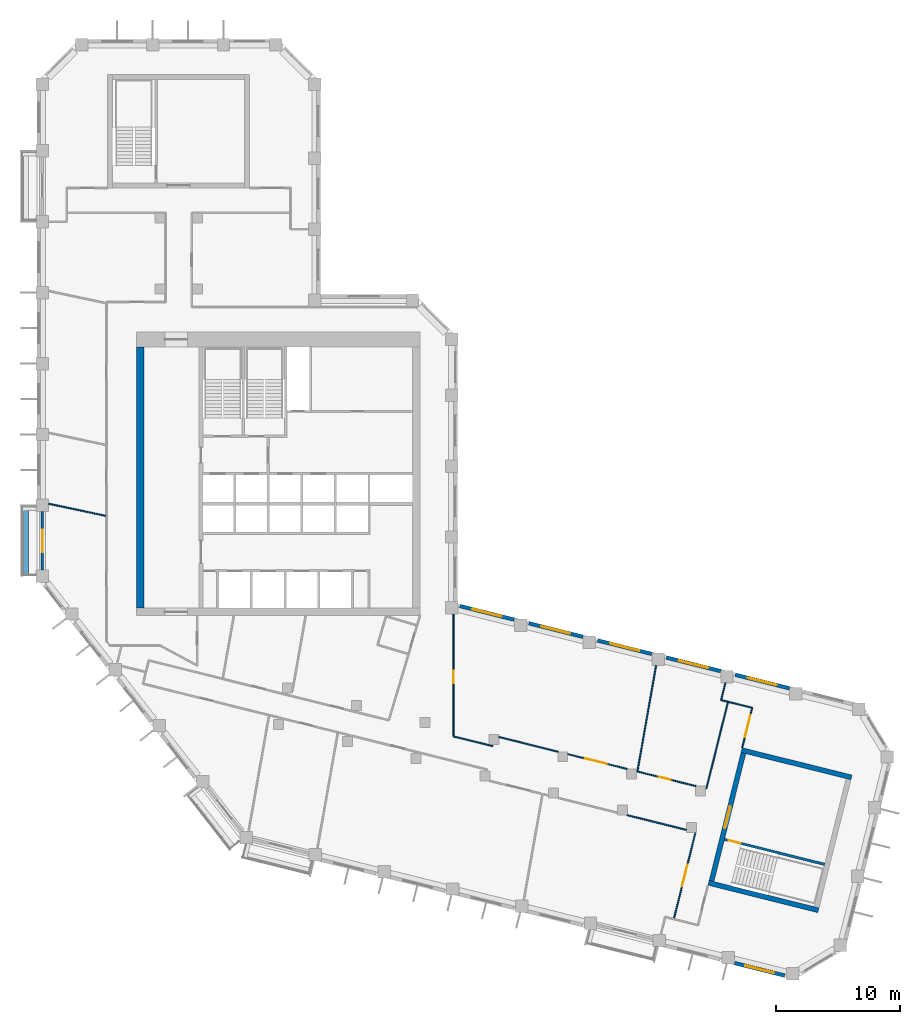
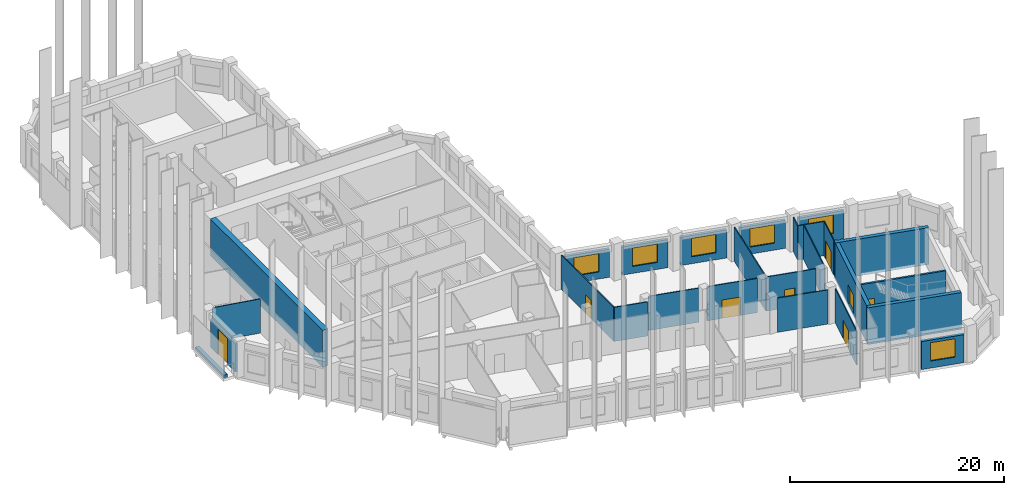
# One storey, part 4 of 9: 27 walls, 8 doors, 6 windows, 14 openings.
"""IFC4 building model written with IfcOpenShell, lengths in metres."""

import ifcopenshell
import ifcopenshell.guid

model = None  # the IFC model being written
_history = None  # IfcOwnerHistory: only IFC2X3 demands one
_inside = {}  # id of a spatial element -> (the spatial element, [elements in it])
_under = {}  # id of a project, library or spatial element -> (it, [spatial elements below it])
_declared = {}  # id of a project -> (the project, [libraries it declares])
_typed = {}  # id of a type object -> (the type object, [elements of that type])
_made_of = {}  # id of a material, layer set ... -> (it, [elements and type objects made of it])


def new_model(schema):
    """Start an empty IFC model of exactly this schema.

    Asked for "IFC4X3", IfcOpenShell would pick the latest addendum, in which some entities
    have other attributes; the version numbers below select the first issue.
    IFC2X3 requires an IfcOwnerHistory on every rooted entity: one is made here for all.
    """
    global model, _history
    if schema == "IFC4X3":
        model = ifcopenshell.file(schema_version=(4, 3, 0, 0))
    else:
        model = ifcopenshell.file(schema=schema)
    _inside.clear()
    _under.clear()
    _declared.clear()
    _typed.clear()
    _made_of.clear()
    _history = None
    if model.schema == "IFC2X3":
        org = make("IfcOrganization", Name="unknown")
        user = make(
            "IfcPersonAndOrganization",
            ThePerson=make("IfcPerson", FamilyName="unknown"),
            TheOrganization=org,
        )
        app = make(
            "IfcApplication",
            ApplicationDeveloper=org,
            Version="unknown",
            ApplicationFullName="unknown",
            ApplicationIdentifier="unknown",
        )
        _history = make(
            "IfcOwnerHistory",
            OwningUser=user,
            OwningApplication=app,
            ChangeAction="ADDED",
            CreationDate=0,
        )
    return model


def make(cls, **values):
    """One entity of the class cls with the attributes given. An attribute that is None is left unset."""
    return model.create_entity(
        cls, **{name: value for name, value in values.items() if value is not None}
    )


def rooted(cls, **values):
    """An entity with a GlobalId (a new one), such as an element, a storey or a relation."""
    return make(cls, GlobalId=ifcopenshell.guid.new(), OwnerHistory=_history, **values)


def si_unit(unit_type, name, prefix=None):
    """IfcSIUnit, for example si_unit("LENGTHUNIT", "METRE", prefix="MILLI")."""
    return make("IfcSIUnit", UnitType=unit_type, Prefix=prefix, Name=name)


def assignment(units):
    """IfcUnitAssignment: the units of a project."""
    return None if units is None else make("IfcUnitAssignment", Units=units)


def point(xyz):
    """IfcCartesianPoint."""
    return None if xyz is None else make("IfcCartesianPoint", Coordinates=xyz)


def direction(xyz):
    """IfcDirection."""
    return None if xyz is None else make("IfcDirection", DirectionRatios=xyz)


def frame(location, z_axis=None, x_axis=None):
    """IfcAxis2Placement3D, a coordinate frame: its origin and axes. An axis left out is left unset."""
    return make(
        "IfcAxis2Placement3D",
        Location=point(location),
        Axis=direction(z_axis),
        RefDirection=direction(x_axis),
    )


def frame_2d(location, x_axis=None):
    """IfcAxis2Placement2D, a coordinate frame in the plane: its origin and x axis."""
    return make(
        "IfcAxis2Placement2D", Location=point(location), RefDirection=direction(x_axis)
    )


def origin():
    """The frame at (0, 0, 0) with its axes left unset."""
    return frame((0.0, 0.0, 0.0))


def place(relative_to, where):
    """IfcLocalPlacement: puts the frame where relative to a parent placement (None: the world)."""
    return make(
        "IfcLocalPlacement", PlacementRelTo=relative_to, RelativePlacement=where
    )


def context(
    kind, dimensions, precision=None, world=None, true_north=None, identifier=None
):
    """IfcGeometricRepresentationContext, for example the 3D "Model" context."""
    return make(
        "IfcGeometricRepresentationContext",
        ContextIdentifier=identifier,
        ContextType=kind,
        CoordinateSpaceDimension=dimensions,
        Precision=precision,
        WorldCoordinateSystem=world,
        TrueNorth=true_north,
    )


def subcontext(parent, identifier, kind, view, scale=None):
    """IfcGeometricRepresentationSubContext, for example "Body" below "Model"."""
    return make(
        "IfcGeometricRepresentationSubContext",
        ContextIdentifier=identifier,
        ContextType=kind,
        ParentContext=parent,
        TargetScale=scale,
        TargetView=view,
    )


def project(units=None, contexts=None):
    """IfcProject with its units and contexts."""
    return rooted(
        "IfcProject",
        Name="project",
        RepresentationContexts=contexts,
        UnitsInContext=assignment(units),
    )


def spatial(cls, under=None, at=None, **own):
    """A site, building, storey or space (cls), placed at a placement, below another one or the project."""
    s = rooted(cls, ObjectPlacement=at, **own)
    if under is not None:
        _under.setdefault(under.id(), (under, []))[1].append(s)
    return s


def profile(cls, at=None, kind="AREA", **sizes):
    """A parametric profile (cls). Its sizes go by their IFC names, for example OverallWidth=200.0."""
    return make(cls, ProfileType=kind, Position=at, **sizes)


def rectangle(**sizes):
    """IfcRectangleProfileDef."""
    return profile("IfcRectangleProfileDef", **sizes)


def extrude(swept, where, along, depth):
    """IfcExtrudedAreaSolid: the profile swept, set in the frame where, extruded along a direction by depth."""
    return make(
        "IfcExtrudedAreaSolid",
        SweptArea=swept,
        Position=where,
        ExtrudedDirection=direction(along),
        Depth=depth,
    )


def shape(context_of_items, identifier, shape_type, items):
    """IfcShapeRepresentation: the items that make up one representation, for example the "Body"."""
    return make(
        "IfcShapeRepresentation",
        ContextOfItems=context_of_items,
        RepresentationIdentifier=identifier,
        RepresentationType=shape_type,
        Items=items,
    )


def material(Name=None, Category=None):
    """IfcMaterial."""
    return make("IfcMaterial", Name=Name, Category=Category)


def layer(
    of_material, thickness, ventilated=None, Name=None, Category=None, Priority=None
):
    """IfcMaterialLayer: one layer of a wall or slab, of a material (None: an air gap)."""
    return make(
        "IfcMaterialLayer",
        Material=of_material,
        LayerThickness=thickness,
        IsVentilated=ventilated,
        Name=Name,
        Category=Category,
        Priority=Priority,
    )


def layer_set(layers, Name=None):
    """IfcMaterialLayerSet."""
    return make("IfcMaterialLayerSet", MaterialLayers=layers, LayerSetName=Name)


def made_of(thing, what):
    """Note that an element or type object is made of a material, layer set ...; save() writes the relation."""
    if what is not None:
        _made_of.setdefault(what.id(), (what, []))[1].append(thing)
    return thing


def type_object(cls, material=None, **own):
    """A type object (cls), such as IfcWallType, which elements share."""
    return made_of(rooted(cls, **own), material)


def element(
    cls,
    number,
    at=None,
    inside=None,
    cuts=None,
    type_object=None,
    material=None,
    context=None,
    identifier="Body",
    shape_type=None,
    held_by="IfcProductDefinitionShape",
    body=None,
    shapes=None,
    **own,
):
    """One element of the class cls, such as IfcWall. Its Tag is "e" and its number.

    at: its placement. inside: the storey or other place that contains it. cuts: it is an
    opening in that element (IfcRelVoidsElement). A single representation is given by context,
    identifier, shape_type and body (its items); several are given by shapes. held_by: the class
    of the entity that holds the representations. save() writes the other relations.
    """
    e = rooted(cls, Tag="e%d" % number, ObjectPlacement=at, **own)
    if body is not None:
        shapes = [shape(context, identifier, shape_type, body)]
    if shapes is not None:
        e.Representation = make(held_by, Representations=shapes)
    if inside is not None:
        _inside.setdefault(inside.id(), (inside, []))[1].append(e)
    if cuts is not None:
        rooted(
            "IfcRelVoidsElement", RelatingBuildingElement=cuts, RelatedOpeningElement=e
        )
    if type_object is not None:
        _typed.setdefault(type_object.id(), (type_object, []))[1].append(e)
    return made_of(e, material)


def fill(opening, filler):
    """IfcRelFillsElement: the door or window that sits in an opening."""
    return rooted(
        "IfcRelFillsElement",
        RelatingOpeningElement=opening,
        RelatedBuildingElement=filler,
    )


def aggregate(whole, parts):
    """IfcRelAggregates: a whole, such as a stair, and the parts it consists of."""
    return rooted("IfcRelAggregates", RelatingObject=whole, RelatedObjects=parts)


def save(model, path):
    """Write the relations noted so far, then the file.

    IfcRelAggregates (storeys below a building ...), IfcRelContainedInSpatialStructure (elements
    in a storey), IfcRelDefinesByType, IfcRelAssociatesMaterial and IfcRelDeclares: one each for
    every whole, place, type object, material and project.
    """
    for whole, parts in _under.values():
        aggregate(whole, parts)
    for where, things in _inside.values():
        rooted(
            "IfcRelContainedInSpatialStructure",
            RelatedElements=things,
            RelatingStructure=where,
        )
    for kind, things in _typed.values():
        rooted("IfcRelDefinesByType", RelatedObjects=things, RelatingType=kind)
    for what, things in _made_of.values():
        rooted("IfcRelAssociatesMaterial", RelatedObjects=things, RelatingMaterial=what)
    for by, libraries in _declared.values():
        rooted("IfcRelDeclares", RelatingContext=by, RelatedDefinitions=libraries)
    model.write(path)


model = new_model("IFC4")

# Units and contexts
model_context = context("Model", 3, precision=1e-05, world=origin(), true_north=direction((0.0, 1.0)))
body_context = subcontext(model_context, "Body", "Model", "MODEL_VIEW")
ifc_project = project(units=[si_unit("LENGTHUNIT", "METRE"), si_unit("AREAUNIT", "SQUARE_METRE"), si_unit("VOLUMEUNIT", "CUBIC_METRE"), si_unit("PLANEANGLEUNIT", "RADIAN"), si_unit("MASSUNIT", "GRAM", prefix="KILO")], contexts=[model_context])

# Site, building, storey
site_placement = place(None, origin())
site = spatial("IfcSite", under=ifc_project, at=site_placement, CompositionType="ELEMENT")
building_placement = place(site_placement, origin())
building = spatial("IfcBuilding", under=site, at=building_placement, Name="Meshkara Civic Tower", CompositionType="ELEMENT")
storey_placement = place(building_placement, frame((0.0, 0.0, 289.800048828125)))
storey = spatial("IfcBuildingStorey", under=building, at=storey_placement, Name="L66", CompositionType="ELEMENT", Elevation=289.800048828125)

# Wall
ifc_material_1 = material(Name="Concrete C60", Category="concrete")
ifc_layer_1 = layer(ifc_material_1, 0.60009765625)
ifc_layer_set_1 = layer_set([ifc_layer_1], Name="Core ring wall 600 C60")
wall_type_1 = type_object("IfcWallType", Name="Core ring wall 600 C60", PredefinedType="SHEAR", material=ifc_layer_set_1)
wall_1_placement = place(storey_placement, frame((8.300048828125, 14.699951171875, -0.300048828125), z_axis=(0.0, 0.0, 1.0), x_axis=(0.0, 1.0, 0.0)))
element("IfcWall", 1, at=wall_1_placement, inside=storey, type_object=wall_type_1, Name="L66-C003", PredefinedType="SHEAR", context=body_context, shape_type="SweptSolid", body=[
    extrude(rectangle(XDim=21.0, YDim=0.60009765625, at=frame_2d((10.5, 0.0))), origin(), (0.0, 0.0, 1.0), 4.199951171875),
])

# Wall, opening, door
ifc_material_2 = material(Name="Corridor wall 100")
ifc_layer_2 = layer(ifc_material_2, 0.10009765625)
ifc_layer_set_2 = layer_set([ifc_layer_2], Name="Corridor wall 100")
wall_type_2 = type_object("IfcWallType", Name="Corridor wall 100", PredefinedType="PARTITIONING", material=ifc_layer_set_2)
wall_2_placement = place(storey_placement, frame((33.5, 4.39111328125, 0.0), z_axis=(0.0, 0.0, 1.0), x_axis=(0.0, 1.0, 0.0)))
wall_2 = element("IfcWall", 2, at=wall_2_placement, inside=storey, type_object=wall_type_2, Name="L66-W020", PredefinedType="PARTITIONING", context=body_context, shape_type="SweptSolid", body=[
    extrude(rectangle(XDim=9.827880859375, YDim=0.10009765625, at=frame_2d((4.9140625, 0.0))), origin(), (0.0, 0.0, 1.0), 3.89990234375),
])
opening_1_placement = place(wall_2_placement, frame((4.280029296875, 0.0, 0.0)))
opening_1 = element("IfcOpeningElement", 3, at=opening_1_placement, cuts=wall_2, Name="Opening L66-D012", PredefinedType="OPENING", context=body_context, shape_type="SweptSolid", body=[
    extrude(rectangle(XDim=1.0, YDim=2.10009765625, at=frame_2d((0.5, 1.050048828125))), frame((0.0, 0.06005859375, 0.0), z_axis=(0.0, -1.0, 0.0), x_axis=(1.0, 0.0, 0.0)), (0.0, 0.0, 1.0), 0.1201171875),
])
ifc_material_3 = material(Name="Door 1000 x 2100")
door_type_1 = type_object("IfcDoorType", Name="Door 1000 x 2100", OperationType="SINGLE_SWING_LEFT", PredefinedType="DOOR", material=ifc_material_3)
door_1_placement = place(opening_1_placement, origin())
door_1 = element("IfcDoor", 4, at=door_1_placement, inside=storey, type_object=door_type_1, Name="L66-D012", OperationType="SINGLE_SWING_RIGHT", OverallHeight=2.10009765625, OverallWidth=1.0, PredefinedType="DOOR", context=body_context, shape_type="SweptSolid", body=[
    extrude(rectangle(XDim=1.0, YDim=2.10009765625, at=frame_2d((0.5, 1.050048828125))), frame((0.0, 0.02490234375, 0.0), z_axis=(0.0, -1.0, 0.0), x_axis=(1.0, 0.0, 0.0)), (0.0, 0.0, 1.0), 0.050048828125),
])
fill(opening_1, door_1)

# Walls
wall_3_placement = place(storey_placement, frame((36.656005859375, 3.60400390625, 0.0), z_axis=(0.0, 0.0, 1.0), x_axis=(-0.970279216762, 0.241988102022, 0.0)))
element("IfcWall", 5, at=wall_3_placement, inside=storey, type_object=wall_type_2, Name="L66-W022", PredefinedType="PARTITIONING", context=body_context, shape_type="SweptSolid", body=[
    extrude(rectangle(XDim=3.252685546875, YDim=0.10009765625, at=frame_2d((1.62646484375, 0.0))), origin(), (0.0, 0.0, 1.0), 3.89990234375),
])
wall_4_placement = place(storey_placement, frame((41.908935546875, 3.155029296875, 0.0), z_axis=(0.0, 0.0, 1.0), x_axis=(-0.970320559999, 0.241822271189, 0.0)))
element("IfcWall", 6, at=wall_4_placement, inside=storey, type_object=wall_type_2, Name="L66-W024", PredefinedType="PARTITIONING", context=body_context, shape_type="SweptSolid", body=[
    extrude(rectangle(XDim=4.91259765625, YDim=0.10009765625, at=frame_2d((2.456298828125, 0.0))), origin(), (0.0, 0.0, 1.0), 3.89990234375),
])
wall_5_placement = place(storey_placement, frame((47.444091796875, -1.93505859375, 0.0), z_axis=(0.0, 0.0, 1.0), x_axis=(0.970285656006, -0.241962281665, 0.0)))
element("IfcWall", 7, at=wall_5_placement, inside=storey, type_object=wall_type_2, Name="L66-W025", PredefinedType="PARTITIONING", context=body_context, shape_type="SweptSolid", body=[
    extrude(rectangle(XDim=4.909912109375, YDim=0.10009765625, at=frame_2d((2.455078125, 0.0))), origin(), (0.0, 0.0, 1.0), 3.89990234375),
])

# Wall, opening, door
wall_6_placement = place(storey_placement, frame((47.44189453125, 1.77587890625, 0.0), z_axis=(0.0, 0.0, 1.0), x_axis=(-0.970297139117, 0.241916228932, 0.0)))
wall_6 = element("IfcWall", 8, at=wall_6_placement, inside=storey, type_object=wall_type_2, Name="L66-W026", PredefinedType="PARTITIONING", context=body_context, shape_type="SweptSolid", body=[
    extrude(rectangle(XDim=4.915771484375, YDim=0.10009765625, at=frame_2d((2.4580078125, 0.0))), origin(), (0.0, 0.0, 1.0), 3.89990234375),
])
opening_2_placement = place(wall_6_placement, frame((1.679931640625, 0.0, 0.0)))
opening_2 = element("IfcOpeningElement", 9, at=opening_2_placement, cuts=wall_6, Name="Opening L66-D006", PredefinedType="OPENING", context=body_context, shape_type="SweptSolid", body=[
    extrude(rectangle(XDim=1.800048828125, YDim=2.10009765625, at=frame_2d((0.89990234375, 1.050048828125))), frame((0.0, 0.06005859375, 0.0), z_axis=(0.0, -1.0, 0.0), x_axis=(1.0, 0.0, 0.0)), (0.0, 0.0, 1.0), 0.1201171875),
])
ifc_material_4 = material(Name="Door pair 1800 x 2100")
door_type_2 = type_object("IfcDoorType", Name="Door pair 1800 x 2100", OperationType="SINGLE_SWING_LEFT", PredefinedType="DOOR", material=ifc_material_4)
door_2_placement = place(opening_2_placement, origin())
door_2 = element("IfcDoor", 10, at=door_2_placement, inside=storey, type_object=door_type_2, Name="L66-D006", OperationType="DOUBLE_DOOR_SINGLE_SWING", OverallHeight=2.10009765625, OverallWidth=1.800048828125, PredefinedType="DOOR", context=body_context, shape_type="SweptSolid", body=[
    extrude(rectangle(XDim=1.800048828125, YDim=2.10009765625, at=frame_2d((0.89990234375, 1.050048828125))), frame((0.0, 0.02490234375, 0.0), z_axis=(0.0, -1.0, 0.0), x_axis=(1.0, 0.0, 0.0)), (0.0, 0.0, 1.0), 0.050048828125),
])
fill(opening_2, door_2)

wall_7_placement = place(storey_placement, frame((52.94091796875, -3.31396484375, 0.0), z_axis=(0.0, 0.0, 1.0), x_axis=(-0.241944492524, -0.97029009195, 0.0)))
wall_7 = element("IfcWall", 11, at=wall_7_placement, inside=storey, type_object=wall_type_2, Name="L66-W028", PredefinedType="PARTITIONING", context=body_context, shape_type="SweptSolid", body=[
    extrude(rectangle(XDim=7.191650390625, YDim=0.10009765625, at=frame_2d((3.595703125, 0.0))), origin(), (0.0, 0.0, 1.0), 3.89990234375),
])
opening_3_placement = place(wall_7_placement, frame((2.679931640625, 0.0, 0.0)))
opening_3 = element("IfcOpeningElement", 12, at=opening_3_placement, cuts=wall_7, Name="Opening L66-D001", PredefinedType="OPENING", context=body_context, shape_type="SweptSolid", body=[
    extrude(rectangle(XDim=1.800048828125, YDim=2.10009765625, at=frame_2d((0.89990234375, 1.050048828125))), frame((0.0, 0.06005859375, 0.0), z_axis=(0.0, -1.0, 0.0), x_axis=(1.0, 0.0, 0.0)), (0.0, 0.0, 1.0), 0.1201171875),
])
door_3_placement = place(opening_3_placement, origin())
door_3 = element("IfcDoor", 13, at=door_3_placement, inside=storey, type_object=door_type_2, Name="L66-D001", OperationType="DOUBLE_DOOR_SINGLE_SWING", OverallHeight=2.10009765625, OverallWidth=1.800048828125, PredefinedType="DOOR", context=body_context, shape_type="SweptSolid", body=[
    extrude(rectangle(XDim=1.800048828125, YDim=2.10009765625, at=frame_2d((0.89990234375, 1.050048828125))), frame((0.0, 0.02490234375, 0.0), z_axis=(0.0, -1.0, 0.0), x_axis=(1.0, 0.0, 0.0)), (0.0, 0.0, 1.0), 0.050048828125),
])
fill(opening_3, door_3)

wall_8_placement = place(storey_placement, frame((52.971923828125, 0.39697265625, 0.0), z_axis=(0.0, 0.0, 1.0), x_axis=(-0.970281685696, 0.241978202329, 0.0)))
wall_8 = element("IfcWall", 14, at=wall_8_placement, inside=storey, type_object=wall_type_2, Name="L66-W029", PredefinedType="PARTITIONING", context=body_context, shape_type="SweptSolid", body=[
    extrude(rectangle(XDim=4.843994140625, YDim=0.10009765625, at=frame_2d((2.421875, 0.0))), origin(), (0.0, 0.0, 1.0), 3.89990234375),
])
opening_4_placement = place(wall_8_placement, frame((2.080078125, 0.0, 0.0)))
opening_4 = element("IfcOpeningElement", 15, at=opening_4_placement, cuts=wall_8, Name="Opening L66-D007", PredefinedType="OPENING", context=body_context, shape_type="SweptSolid", body=[
    extrude(rectangle(XDim=1.0, YDim=2.10009765625, at=frame_2d((0.5, 1.050048828125))), frame((0.0, 0.06005859375, 0.0), z_axis=(0.0, -1.0, 0.0), x_axis=(1.0, 0.0, 0.0)), (0.0, 0.0, 1.0), 0.1201171875),
])
door_4_placement = place(opening_4_placement, origin())
door_4 = element("IfcDoor", 16, at=door_4_placement, inside=storey, type_object=door_type_1, Name="L66-D007", OperationType="SINGLE_SWING_LEFT", OverallHeight=2.10009765625, OverallWidth=1.0, PredefinedType="DOOR", context=body_context, shape_type="SweptSolid", body=[
    extrude(rectangle(XDim=1.0, YDim=2.10009765625, at=frame_2d((0.5, 1.050048828125))), frame((0.0, 0.02490234375, 0.0), z_axis=(0.0, -1.0, 0.0), x_axis=(1.0, 0.0, 0.0)), (0.0, 0.0, 1.0), 0.050048828125),
])
fill(opening_4, door_4)

# Wall
wall_9_placement = place(storey_placement, frame((55.555908203125, 7.173095703125, 0.0), z_axis=(0.0, 0.0, 1.0), x_axis=(-0.241937193493, -0.970291911955, 0.0)))
element("IfcWall", 17, at=wall_9_placement, inside=storey, type_object=wall_type_2, Name="L66-W031", PredefinedType="PARTITIONING", context=body_context, shape_type="SweptSolid", body=[
    extrude(rectangle(XDim=7.199951171875, YDim=0.10009765625, at=frame_2d((3.60009765625, 0.0))), origin(), (0.0, 0.0, 1.0), 3.89990234375),
])

# Wall, opening, door
wall_10_placement = place(storey_placement, frame((56.697998046875, 3.487060546875, 0.0), z_axis=(0.0, 0.0, 1.0), x_axis=(0.241856645367, 0.970311992656, 0.0)))
wall_10 = element("IfcWall", 18, at=wall_10_placement, inside=storey, type_object=wall_type_2, Name="L66-W032", PredefinedType="PARTITIONING", context=body_context, shape_type="SweptSolid", body=[
    extrude(rectangle(XDim=3.2998046875, YDim=0.10009765625, at=frame_2d((1.64990234375, 0.0))), origin(), (0.0, 0.0, 1.0), 3.89990234375),
])
opening_5_placement = place(wall_10_placement, frame((0.8798828125, 0.0, 0.0)))
opening_5 = element("IfcOpeningElement", 19, at=opening_5_placement, cuts=wall_10, Name="Opening L66-D008", PredefinedType="OPENING", context=body_context, shape_type="SweptSolid", body=[
    extrude(rectangle(XDim=1.800048828125, YDim=2.10009765625, at=frame_2d((0.89990234375, 1.050048828125))), frame((0.0, 0.06005859375, 0.0), z_axis=(0.0, -1.0, 0.0), x_axis=(1.0, 0.0, 0.0)), (0.0, 0.0, 1.0), 0.1201171875),
])
door_5_placement = place(opening_5_placement, origin())
door_5 = element("IfcDoor", 20, at=door_5_placement, inside=storey, type_object=door_type_2, Name="L66-D008", OperationType="DOUBLE_DOOR_SINGLE_SWING", OverallHeight=2.10009765625, OverallWidth=1.800048828125, PredefinedType="DOOR", context=body_context, shape_type="SweptSolid", body=[
    extrude(rectangle(XDim=1.800048828125, YDim=2.10009765625, at=frame_2d((0.89990234375, 1.050048828125))), frame((0.0, 0.02490234375, 0.0), z_axis=(0.0, -1.0, 0.0), x_axis=(1.0, 0.0, 0.0)), (0.0, 0.0, 1.0), 0.050048828125),
])
fill(opening_5, door_5)

# Wall
wall_11_placement = place(storey_placement, frame((57.49609375, 6.68896484375, 0.0), z_axis=(0.0, 0.0, 1.0), x_axis=(-0.970250131019, 0.242104694829, 0.0)))
element("IfcWall", 21, at=wall_11_placement, inside=storey, type_object=wall_type_2, Name="L66-W033", PredefinedType="PARTITIONING", context=body_context, shape_type="SweptSolid", body=[
    extrude(rectangle(XDim=1.999755859375, YDim=0.10009765625, at=frame_2d((1.0, 0.0))), origin(), (0.0, 0.0, 1.0), 3.89990234375),
])

# Wall, opening, window
ifc_material_5 = material(Name="Insulated infill panel with bronze anodised aluminium cladding", Category="aluminium")
ifc_layer_3 = layer(ifc_material_5, 0.300048828125)
ifc_layer_set_3 = layer_set([ifc_layer_3], Name="EXTERNAL INFILL WALL 300")
wall_type_3 = type_object("IfcWallType", Name="EXTERNAL INFILL WALL 300", PredefinedType="SOLIDWALL", material=ifc_layer_set_3)
wall_12_placement = place(storey_placement, frame((60.488037109375, 8.261962890625, 0.0), z_axis=(0.0, 0.0, 1.0), x_axis=(-0.970276766004, 0.241997928406, 0.0)))
wall_12 = element("IfcWall", 22, at=wall_12_placement, inside=storey, type_object=wall_type_3, Name="External wall", PredefinedType="SOLIDWALL", context=body_context, shape_type="SweptSolid", body=[
    extrude(rectangle(XDim=4.4873046875, YDim=0.300048828125, at=frame_2d((2.24365234375, 0.0))), origin(), (0.0, 0.0, 1.0), 3.199951171875),
])
opening_6_placement = place(wall_12_placement, frame((1.0439453125, 0.0, 0.800048828125)))
opening_6 = element("IfcOpeningElement", 23, at=opening_6_placement, cuts=wall_12, Name="Opening W7", PredefinedType="OPENING", context=body_context, shape_type="SweptSolid", body=[
    extrude(rectangle(XDim=2.39990234375, YDim=2.10009765625, at=frame_2d((1.199951171875, 1.050048828125))), frame((0.0, 0.159912109375, 0.0), z_axis=(0.0, -1.0, 0.0), x_axis=(1.0, 0.0, 0.0)), (0.0, 0.0, 1.0), 0.320068359375),
])
ifc_material_6 = material(Name="Tinted double glazing", Category="glass")
window_type = type_object("IfcWindowType", Name="WINDOW 2400x2100", PartitioningType="DOUBLE_PANEL_VERTICAL", PredefinedType="WINDOW", material=ifc_material_6)
window_1_placement = place(opening_6_placement, origin())
window_1 = element("IfcWindow", 24, at=window_1_placement, inside=storey, type_object=window_type, Name="Window", OverallHeight=2.10009765625, OverallWidth=2.39990234375, PartitioningType="DOUBLE_PANEL_VERTICAL", PredefinedType="WINDOW", context=body_context, shape_type="SweptSolid", body=[
    extrude(rectangle(XDim=2.39990234375, YDim=2.10009765625, at=frame_2d((1.199951171875, 1.050048828125))), frame((0.0, 0.030029296875, 0.0), z_axis=(0.0, -1.0, 0.0), x_axis=(1.0, 0.0, 0.0)), (0.0, 0.0, 1.0), 0.06005859375),
])
fill(opening_6, window_1)

wall_13_placement = place(storey_placement, frame((54.9580078125, 9.64111328125, 0.0), z_axis=(0.0, 0.0, 1.0), x_axis=(-0.970289506684, 0.241946839653, 0.0)))
wall_13 = element("IfcWall", 25, at=wall_13_placement, inside=storey, type_object=wall_type_3, Name="External wall", PredefinedType="SOLIDWALL", context=body_context, shape_type="SweptSolid", body=[
    extrude(rectangle(XDim=4.48828125, YDim=0.300048828125, at=frame_2d((2.244140625, 0.0))), origin(), (0.0, 0.0, 1.0), 3.199951171875),
])
opening_7_placement = place(wall_13_placement, frame((1.0439453125, 0.0, 0.800048828125)))
opening_7 = element("IfcOpeningElement", 26, at=opening_7_placement, cuts=wall_13, Name="Opening W7", PredefinedType="OPENING", context=body_context, shape_type="SweptSolid", body=[
    extrude(rectangle(XDim=2.39990234375, YDim=2.10009765625, at=frame_2d((1.199951171875, 1.050048828125))), frame((0.0, 0.159912109375, 0.0), z_axis=(0.0, -1.0, 0.0), x_axis=(1.0, 0.0, 0.0)), (0.0, 0.0, 1.0), 0.320068359375),
])
window_2_placement = place(opening_7_placement, origin())
window_2 = element("IfcWindow", 27, at=window_2_placement, inside=storey, type_object=window_type, Name="Window", OverallHeight=2.10009765625, OverallWidth=2.39990234375, PartitioningType="DOUBLE_PANEL_VERTICAL", PredefinedType="WINDOW", context=body_context, shape_type="SweptSolid", body=[
    extrude(rectangle(XDim=2.39990234375, YDim=2.10009765625, at=frame_2d((1.199951171875, 1.050048828125))), frame((0.0, 0.030029296875, 0.0), z_axis=(0.0, -1.0, 0.0), x_axis=(1.0, 0.0, 0.0)), (0.0, 0.0, 1.0), 0.06005859375),
])
fill(opening_7, window_2)

wall_14_placement = place(storey_placement, frame((49.427001953125, 11.02001953125, 0.0), z_axis=(0.0, 0.0, 1.0), x_axis=(-0.970289506684, 0.241946839653, 0.0)))
wall_14 = element("IfcWall", 28, at=wall_14_placement, inside=storey, type_object=wall_type_3, Name="External wall", PredefinedType="SOLIDWALL", context=body_context, shape_type="SweptSolid", body=[
    extrude(rectangle(XDim=4.48828125, YDim=0.300048828125, at=frame_2d((2.244140625, 0.0))), origin(), (0.0, 0.0, 1.0), 3.199951171875),
])
opening_8_placement = place(wall_14_placement, frame((1.0439453125, 0.0, 0.800048828125)))
opening_8 = element("IfcOpeningElement", 29, at=opening_8_placement, cuts=wall_14, Name="Opening W7", PredefinedType="OPENING", context=body_context, shape_type="SweptSolid", body=[
    extrude(rectangle(XDim=2.39990234375, YDim=2.10009765625, at=frame_2d((1.199951171875, 1.050048828125))), frame((0.0, 0.159912109375, 0.0), z_axis=(0.0, -1.0, 0.0), x_axis=(1.0, 0.0, 0.0)), (0.0, 0.0, 1.0), 0.320068359375),
])
window_3_placement = place(opening_8_placement, origin())
window_3 = element("IfcWindow", 30, at=window_3_placement, inside=storey, type_object=window_type, Name="Window", OverallHeight=2.10009765625, OverallWidth=2.39990234375, PartitioningType="DOUBLE_PANEL_VERTICAL", PredefinedType="WINDOW", context=body_context, shape_type="SweptSolid", body=[
    extrude(rectangle(XDim=2.39990234375, YDim=2.10009765625, at=frame_2d((1.199951171875, 1.050048828125))), frame((0.0, 0.030029296875, 0.0), z_axis=(0.0, -1.0, 0.0), x_axis=(1.0, 0.0, 0.0)), (0.0, 0.0, 1.0), 0.06005859375),
])
fill(opening_8, window_3)

wall_15_placement = place(storey_placement, frame((43.89599609375, 12.39892578125, 0.0), z_axis=(0.0, 0.0, 1.0), x_axis=(-0.970263990019, 0.242049147224, 0.0)))
wall_15 = element("IfcWall", 31, at=wall_15_placement, inside=storey, type_object=wall_type_3, Name="External wall", PredefinedType="SOLIDWALL", context=body_context, shape_type="SweptSolid", body=[
    extrude(rectangle(XDim=4.487548828125, YDim=0.300048828125, at=frame_2d((2.24365234375, 0.0))), origin(), (0.0, 0.0, 1.0), 3.199951171875),
])
opening_9_placement = place(wall_15_placement, frame((1.0439453125, 0.0, 0.800048828125)))
opening_9 = element("IfcOpeningElement", 32, at=opening_9_placement, cuts=wall_15, Name="Opening W7", PredefinedType="OPENING", context=body_context, shape_type="SweptSolid", body=[
    extrude(rectangle(XDim=2.39990234375, YDim=2.10009765625, at=frame_2d((1.199951171875, 1.050048828125))), frame((0.0, 0.159912109375, 0.0), z_axis=(0.0, -1.0, 0.0), x_axis=(1.0, 0.0, 0.0)), (0.0, 0.0, 1.0), 0.320068359375),
])
window_4_placement = place(opening_9_placement, origin())
window_4 = element("IfcWindow", 33, at=window_4_placement, inside=storey, type_object=window_type, Name="Window", OverallHeight=2.10009765625, OverallWidth=2.39990234375, PartitioningType="DOUBLE_PANEL_VERTICAL", PredefinedType="WINDOW", context=body_context, shape_type="SweptSolid", body=[
    extrude(rectangle(XDim=2.39990234375, YDim=2.10009765625, at=frame_2d((1.199951171875, 1.050048828125))), frame((0.0, 0.030029296875, 0.0), z_axis=(0.0, -1.0, 0.0), x_axis=(1.0, 0.0, 0.0)), (0.0, 0.0, 1.0), 0.06005859375),
])
fill(opening_9, window_4)

wall_16_placement = place(storey_placement, frame((38.365966796875, 13.778076171875, 0.0), z_axis=(0.0, 0.0, 1.0), x_axis=(-0.970289506684, 0.241946839653, 0.0)))
wall_16 = element("IfcWall", 34, at=wall_16_placement, inside=storey, type_object=wall_type_3, Name="External wall", PredefinedType="SOLIDWALL", context=body_context, shape_type="SweptSolid", body=[
    extrude(rectangle(XDim=4.48828125, YDim=0.300048828125, at=frame_2d((2.244140625, 0.0))), origin(), (0.0, 0.0, 1.0), 3.199951171875),
])
opening_10_placement = place(wall_16_placement, frame((1.0439453125, 0.0, 0.800048828125)))
opening_10 = element("IfcOpeningElement", 35, at=opening_10_placement, cuts=wall_16, Name="Opening W7", PredefinedType="OPENING", context=body_context, shape_type="SweptSolid", body=[
    extrude(rectangle(XDim=2.39990234375, YDim=2.10009765625, at=frame_2d((1.199951171875, 1.050048828125))), frame((0.0, 0.159912109375, 0.0), z_axis=(0.0, -1.0, 0.0), x_axis=(1.0, 0.0, 0.0)), (0.0, 0.0, 1.0), 0.320068359375),
])
window_5_placement = place(opening_10_placement, origin())
window_5 = element("IfcWindow", 36, at=window_5_placement, inside=storey, type_object=window_type, Name="Window", OverallHeight=2.10009765625, OverallWidth=2.39990234375, PartitioningType="DOUBLE_PANEL_VERTICAL", PredefinedType="WINDOW", context=body_context, shape_type="SweptSolid", body=[
    extrude(rectangle(XDim=2.39990234375, YDim=2.10009765625, at=frame_2d((1.199951171875, 1.050048828125))), frame((0.0, 0.030029296875, 0.0), z_axis=(0.0, -1.0, 0.0), x_axis=(1.0, 0.0, 0.0)), (0.0, 0.0, 1.0), 0.06005859375),
])
fill(opening_10, window_5)

wall_17_placement = place(storey_placement, frame((56.0810546875, -13.827880859375, 0.0), z_axis=(0.0, 0.0, 1.0), x_axis=(0.970246294139, -0.242120070853, 0.0)))
wall_17 = element("IfcWall", 37, at=wall_17_placement, inside=storey, type_object=wall_type_3, Name="External wall", PredefinedType="SOLIDWALL", context=body_context, shape_type="SweptSolid", body=[
    extrude(rectangle(XDim=4.147216796875, YDim=0.300048828125, at=frame_2d((2.07373046875, 0.0))), origin(), (0.0, 0.0, 1.0), 3.199951171875),
])
opening_11_placement = place(wall_17_placement, frame((0.8740234375, 0.0, 0.800048828125)))
opening_11 = element("IfcOpeningElement", 38, at=opening_11_placement, cuts=wall_17, Name="Opening W7", PredefinedType="OPENING", context=body_context, shape_type="SweptSolid", body=[
    extrude(rectangle(XDim=2.39990234375, YDim=2.10009765625, at=frame_2d((1.199951171875, 1.050048828125))), frame((0.0, 0.159912109375, 0.0), z_axis=(0.0, -1.0, 0.0), x_axis=(1.0, 0.0, 0.0)), (0.0, 0.0, 1.0), 0.320068359375),
])
window_6_placement = place(opening_11_placement, origin())
window_6 = element("IfcWindow", 39, at=window_6_placement, inside=storey, type_object=window_type, Name="Window", OverallHeight=2.10009765625, OverallWidth=2.39990234375, PartitioningType="DOUBLE_PANEL_VERTICAL", PredefinedType="WINDOW", context=body_context, shape_type="SweptSolid", body=[
    extrude(rectangle(XDim=2.39990234375, YDim=2.10009765625, at=frame_2d((1.199951171875, 1.050048828125))), frame((0.0, 0.030029296875, 0.0), z_axis=(0.0, -1.0, 0.0), x_axis=(1.0, 0.0, 0.0)), (0.0, 0.0, 1.0), 0.06005859375),
])
fill(opening_11, window_6)

# Walls
ifc_material_7 = material(Name="Concrete C60", Category="concrete")
ifc_layer_4 = layer(ifc_material_7, 0.39990234375)
ifc_layer_set_4 = layer_set([ifc_layer_4], Name="End core ring wall 400 C60")
wall_type_4 = type_object("IfcWallType", Name="End core ring wall 400 C60", PredefinedType="SHEAR", material=ifc_layer_set_4)
wall_18_placement = place(storey_placement, frame((53.988037109375, -7.3798828125, -0.300048828125), z_axis=(0.0, 0.0, 1.0), x_axis=(0.970281210621, -0.241980107272, 0.0)))
element("IfcWall", 40, at=wall_18_placement, inside=storey, type_object=wall_type_4, Name="L66-C031", PredefinedType="SHEAR", context=body_context, shape_type="SweptSolid", body=[
    extrude(rectangle(XDim=9.1005859375, YDim=0.39990234375, at=frame_2d((4.55029296875, 0.0))), origin(), (0.0, 0.0, 1.0), 4.199951171875),
])
wall_19_placement = place(storey_placement, frame((56.64892578125, 3.29296875, -0.300048828125), z_axis=(0.0, 0.0, 1.0), x_axis=(0.970312696888, -0.241853820019, 0.0)))
element("IfcWall", 41, at=wall_19_placement, inside=storey, type_object=wall_type_4, Name="L66-C032", PredefinedType="SHEAR", context=body_context, shape_type="SweptSolid", body=[
    extrude(rectangle(XDim=9.100341796875, YDim=0.39990234375, at=frame_2d((4.55029296875, 0.0))), origin(), (0.0, 0.0, 1.0), 4.199951171875),
])

# Wall, opening, door
wall_20_placement = place(storey_placement, frame((54.23095703125, -7.23388671875, -0.300048828125), z_axis=(0.0, 0.0, 1.0), x_axis=(0.241890652548, 0.970303515509, 0.0)))
wall_20 = element("IfcWall", 42, at=wall_20_placement, inside=storey, type_object=wall_type_4, Name="L66-C033", PredefinedType="SHEAR", context=body_context, shape_type="SweptSolid", body=[
    extrude(rectangle(XDim=10.599609375, YDim=0.39990234375, at=frame_2d((5.2998046875, 0.0))), origin(), (0.0, 0.0, 1.0), 4.199951171875),
])
opening_12_placement = place(wall_20_placement, frame((4.39990234375, 0.0, 0.300048828125)))
opening_12 = element("IfcOpeningElement", 43, at=opening_12_placement, cuts=wall_20, Name="Opening L66-K202", PredefinedType="OPENING", context=body_context, shape_type="SweptSolid", body=[
    extrude(rectangle(XDim=1.800048828125, YDim=2.10009765625, at=frame_2d((0.89990234375, 1.050048828125))), frame((0.0, 0.2099609375, 0.0), z_axis=(0.0, -1.0, 0.0), x_axis=(1.0, 0.0, 0.0)), (0.0, 0.0, 1.0), 0.419921875),
])
ifc_material_8 = material(Name="Fire-rated door leaf in steel frame", Category="steel")
door_type_3 = type_object("IfcDoorType", Name="Core double door 1800 EI 60", OperationType="DOUBLE_DOOR_SINGLE_SWING", PredefinedType="DOOR", material=ifc_material_8)
door_6_placement = place(opening_12_placement, origin())
door_6 = element("IfcDoor", 44, at=door_6_placement, inside=storey, type_object=door_type_3, Name="L66-K202", OperationType="DOUBLE_DOOR_SINGLE_SWING", OverallHeight=2.10009765625, OverallWidth=1.800048828125, PredefinedType="DOOR", context=body_context, shape_type="SweptSolid", body=[
    extrude(rectangle(XDim=1.800048828125, YDim=2.10009765625, at=frame_2d((0.89990234375, 1.050048828125))), frame((0.0, 0.02490234375, 0.0), z_axis=(0.0, -1.0, 0.0), x_axis=(1.0, 0.0, 0.0)), (0.0, 0.0, 1.0), 0.050048828125),
])
fill(opening_12, door_6)

ifc_material_9 = material(Name="Insulated infill panel with bronze anodised aluminium cladding", Category="aluminium")
ifc_layer_5 = layer(ifc_material_9, 0.199951171875)
ifc_layer_set_5 = layer_set([ifc_layer_5], Name="LOGGIA BACK WALL 200")
wall_type_5 = type_object("IfcWallType", Name="LOGGIA BACK WALL 200", PredefinedType="SOLIDWALL", material=ifc_layer_set_5)
wall_21_placement = place(storey_placement, frame((0.449951171875, 22.4541015625, 0.0), z_axis=(0.0, 0.0, 1.0), x_axis=(0.0, -1.0, 0.0)))
wall_21 = element("IfcWall", 45, at=wall_21_placement, inside=storey, type_object=wall_type_5, Name="Loggia wall", PredefinedType="SOLIDWALL", context=body_context, shape_type="SweptSolid", body=[
    extrude(rectangle(XDim=4.69921875, YDim=0.199951171875, at=frame_2d((2.349609375, 0.0))), origin(), (0.0, 0.0, 1.0), 3.199951171875),
])
opening_13_placement = place(wall_21_placement, frame((1.449951171875, 0.0, 0.0)))
opening_13 = element("IfcOpeningElement", 46, at=opening_13_placement, cuts=wall_21, Name="Opening L66-L002", PredefinedType="OPENING", context=body_context, shape_type="SweptSolid", body=[
    extrude(rectangle(XDim=1.800048828125, YDim=2.89990234375, at=frame_2d((0.89990234375, 1.449951171875))), frame((0.0, 0.10986328125, 0.0), z_axis=(0.0, -1.0, 0.0), x_axis=(1.0, 0.0, 0.0)), (0.0, 0.0, 1.0), 0.219970703125),
])
ifc_material_10 = material(Name="Tinted double glazing", Category="glass")
door_type_4 = type_object("IfcDoorType", Name="LOGGIA DOOR 1800x2900", OperationType="DOUBLE_DOOR_SINGLE_SWING", PredefinedType="DOOR", material=ifc_material_10)
door_7_placement = place(opening_13_placement, origin())
door_7 = element("IfcDoor", 47, at=door_7_placement, inside=storey, type_object=door_type_4, Name="L66-L002", OperationType="DOUBLE_DOOR_SINGLE_SWING", OverallHeight=2.89990234375, OverallWidth=1.800048828125, PredefinedType="DOOR", context=body_context, shape_type="SweptSolid", body=[
    extrude(rectangle(XDim=1.800048828125, YDim=2.89990234375, at=frame_2d((0.89990234375, 1.449951171875))), frame((0.0, 0.02490234375, 0.0), z_axis=(0.0, -1.0, 0.0), x_axis=(1.0, 0.0, 0.0)), (0.0, 0.0, 1.0), 0.050048828125),
])
fill(opening_13, door_7)

# Walls
ifc_material_11 = material(Name="Concrete C40", Category="concrete")
ifc_layer_6 = layer(ifc_material_11, 0.39990234375)
ifc_layer_set_6 = layer_set([ifc_layer_6], Name="PLANTER TRAY")
wall_type_6 = type_object("IfcWallType", Name="PLANTER TRAY", PredefinedType="SOLIDWALL", material=ifc_layer_set_6)
wall_22_placement = place(storey_placement, frame((-0.8798828125, 22.784912109375, 0.0), z_axis=(0.0, 0.0, 1.0), x_axis=(0.0, -1.0, 0.0)))
element("IfcWall", 48, at=wall_22_placement, inside=storey, type_object=wall_type_6, Name="Planter", PredefinedType="SOLIDWALL", context=body_context, shape_type="SweptSolid", body=[
    extrude(rectangle(XDim=5.35986328125, YDim=0.39990234375, at=frame_2d((2.679931640625, 0.0))), origin(), (0.0, 0.0, 1.0), 0.300048828125),
])
ifc_material_12 = material(Name="Partition 100")
ifc_layer_7 = layer(ifc_material_12, 0.10009765625)
ifc_layer_set_7 = layer_set([ifc_layer_7], Name="Partition 100")
wall_type_7 = type_object("IfcWallType", Name="Partition 100", PredefinedType="PARTITIONING", material=ifc_layer_set_7)
wall_23_placement = place(storey_placement, frame((5.5400390625, 22.117919921875, 0.0), z_axis=(0.0, 0.0, 1.0), x_axis=(-0.978129355615, 0.207997508842, 0.0)))
element("IfcWall", 49, at=wall_23_placement, inside=storey, type_object=wall_type_7, Name="L66-W036", PredefinedType="PARTITIONING", context=body_context, shape_type="SweptSolid", body=[
    extrude(rectangle(XDim=4.692626953125, YDim=0.10009765625, at=frame_2d((2.34619140625, 0.0))), origin(), (0.0, 0.0, 1.0), 3.89990234375),
])
wall_24_placement = place(storey_placement, frame((48.27197265625, 1.569091796875, 0.0), z_axis=(0.0, 0.0, 1.0), x_axis=(0.173638714165, 0.984809421636, 0.0)))
element("IfcWall", 50, at=wall_24_placement, inside=storey, type_object=wall_type_7, Name="L66-W051", PredefinedType="PARTITIONING", context=body_context, shape_type="SweptSolid", body=[
    extrude(rectangle(XDim=8.644287109375, YDim=0.10009765625, at=frame_2d((4.322265625, 0.0))), origin(), (0.0, 0.0, 1.0), 3.89990234375),
])
wall_25_placement = place(storey_placement, frame((55.0009765625, 7.31103515625, 0.0), z_axis=(0.0, 0.0, 1.0), x_axis=(0.24185476373, 0.970312461664, 0.0)))
element("IfcWall", 51, at=wall_25_placement, inside=storey, type_object=wall_type_7, Name="L66-W054", PredefinedType="PARTITIONING", context=body_context, shape_type="SweptSolid", body=[
    extrude(rectangle(XDim=1.434326171875, YDim=0.10009765625, at=frame_2d((0.71728515625, 0.0))), origin(), (0.0, 0.0, 1.0), 3.89990234375),
])
wall_26_placement = place(storey_placement, frame((55.56005859375, 7.172119140625, 0.0), z_axis=(0.0, 0.0, 1.0), x_axis=(-0.970490503334, 0.241139343405, 0.0)))
element("IfcWall", 52, at=wall_26_placement, inside=storey, type_object=wall_type_7, Name="L66-W055", PredefinedType="PARTITIONING", context=body_context, shape_type="SweptSolid", body=[
    extrude(rectangle(XDim=0.576171875, YDim=0.10009765625, at=frame_2d((0.2880859375, 0.0))), origin(), (0.0, 0.0, 1.0), 3.89990234375),
])

# Wall, opening, door
ifc_material_13 = material(Name="Concrete C40/50", Category="concrete")
ifc_layer_8 = layer(ifc_material_13, 0.199951171875)
ifc_layer_set_8 = layer_set([ifc_layer_8], Name="Stair enclosure wall 200 C40/50")
wall_type_8 = type_object("IfcWallType", Name="Stair enclosure wall 200 C40/50", PredefinedType="SOLIDWALL", material=ifc_layer_set_8)
wall_27_placement = place(storey_placement, frame((55.27099609375, -3.886962890625, 0.0), z_axis=(0.0, 0.0, 1.0), x_axis=(0.970296288869, -0.241919639151, 0.0)))
wall_27 = element("IfcWall", 53, at=wall_27_placement, inside=storey, type_object=wall_type_8, Name="L66-C035", PredefinedType="SOLIDWALL", context=body_context, shape_type="SweptSolid", body=[
    extrude(rectangle(XDim=8.300537109375, YDim=0.199951171875, at=frame_2d((4.150390625, 0.0))), origin(), (0.0, 0.0, 1.0), 3.89990234375),
])
opening_14_placement = place(wall_27_placement, frame((0.35009765625, 0.0, 0.0)))
opening_14 = element("IfcOpeningElement", 54, at=opening_14_placement, cuts=wall_27, Name="Opening L66-K201", PredefinedType="OPENING", context=body_context, shape_type="SweptSolid", body=[
    extrude(rectangle(XDim=1.0, YDim=2.10009765625, at=frame_2d((0.5, 1.050048828125))), frame((0.0, 0.10986328125, 0.0), z_axis=(0.0, -1.0, 0.0), x_axis=(1.0, 0.0, 0.0)), (0.0, 0.0, 1.0), 0.219970703125),
])
ifc_material_14 = material(Name="Fire-rated door leaf in steel frame", Category="steel")
door_type_5 = type_object("IfcDoorType", Name="Stair door 1000 EI 120", OperationType="SINGLE_SWING_LEFT", PredefinedType="DOOR", material=ifc_material_14)
door_8_placement = place(opening_14_placement, origin())
door_8 = element("IfcDoor", 55, at=door_8_placement, inside=storey, type_object=door_type_5, Name="L66-K201", OperationType="SINGLE_SWING_LEFT", OverallHeight=2.10009765625, OverallWidth=1.0, PredefinedType="DOOR", context=body_context, shape_type="SweptSolid", body=[
    extrude(rectangle(XDim=1.0, YDim=2.10009765625, at=frame_2d((0.5, 1.050048828125))), frame((0.0, 0.02490234375, 0.0), z_axis=(0.0, -1.0, 0.0), x_axis=(1.0, 0.0, 0.0)), (0.0, 0.0, 1.0), 0.050048828125),
])
fill(opening_14, door_8)

save(model, "model.ifc")
